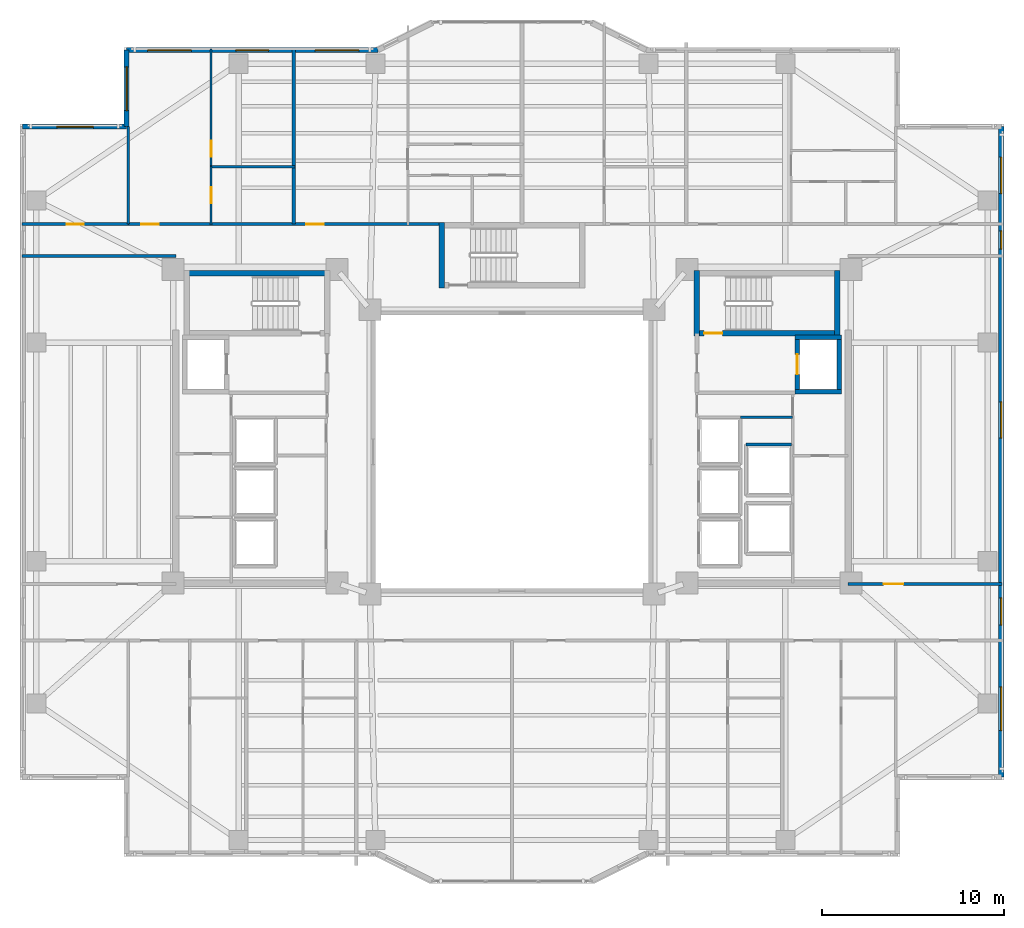
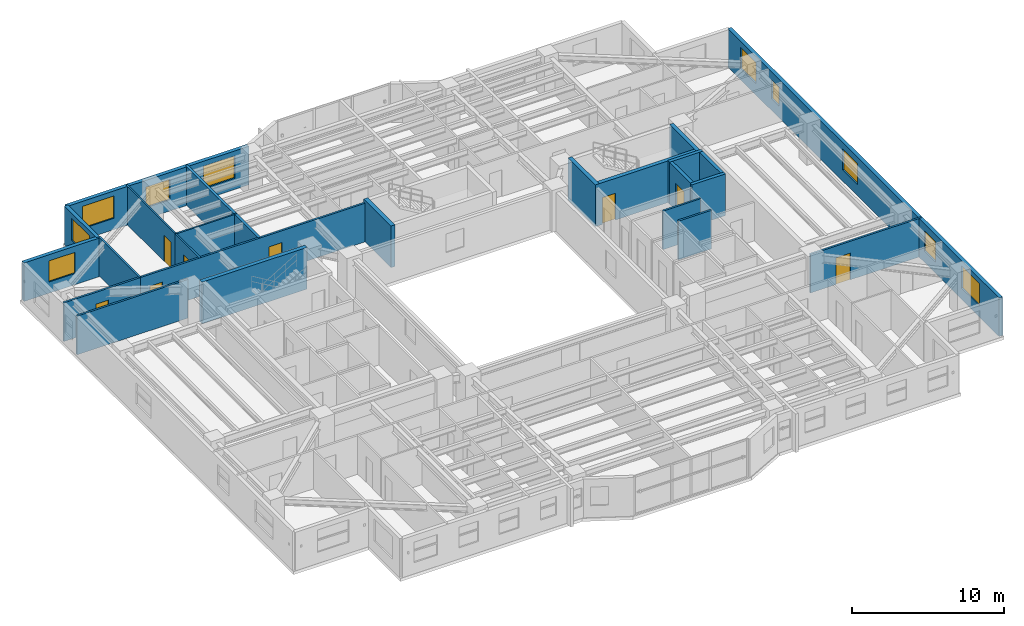
# One storey, part 9 of 18: 24 walls, 10 windows, 8 doors, 18 openings.
"""IFC4 building model written with IfcOpenShell, lengths in metres."""

from ifc_helpers import new_model, si_unit, direction, frame, frame_2d, origin, place, context, subcontext, project, spatial, rectangle, extrude, material, layer, layer_set, type_object, element, fill, save


model = new_model("IFC4")

# Units and contexts
model_context = context("Model", 3, precision=1e-05, world=origin(), true_north=direction((0.0, 1.0)))
body_context = subcontext(model_context, "Body", "Model", "MODEL_VIEW")
ifc_project = project(units=[si_unit("LENGTHUNIT", "METRE"), si_unit("AREAUNIT", "SQUARE_METRE"), si_unit("VOLUMEUNIT", "CUBIC_METRE"), si_unit("PLANEANGLEUNIT", "RADIAN"), si_unit("MASSUNIT", "GRAM", prefix="KILO")], contexts=[model_context])

# Site, building, storey
site_placement = place(None, origin())
site = spatial("IfcSite", under=ifc_project, at=site_placement, CompositionType="ELEMENT")
building_placement = place(site_placement, origin())
building = spatial("IfcBuilding", under=site, at=building_placement, Name="Tarnavaz Court Tower", CompositionType="ELEMENT")
storey_placement = place(building_placement, frame((0.0, 0.0, 101.75)))
storey = spatial("IfcBuildingStorey", under=building, at=storey_placement, Name="L27", CompositionType="ELEMENT", Elevation=101.75)

# Wall, opening, door
ifc_material_1 = material(Name="Concrete C60/75", Category="concrete")
ifc_layer_1 = layer(ifc_material_1, 0.25)
ifc_layer_set_1 = layer_set([ifc_layer_1], Name="Concrete C60/75")
wall_type_1 = type_object("IfcWallType", Name="WL-CORE-250-C60", PredefinedType="SHEAR", material=ifc_layer_set_1)
wall_1_placement = place(storey_placement, frame((15.64990234375, 3.175048828125, 0.0), z_axis=(0.0, 0.0, 1.0), x_axis=(0.0, 1.0, 0.0)))
wall_1 = element("IfcWall", 1, at=wall_1_placement, inside=storey, type_object=wall_type_1, Name="L27 Lift FL-E1 Shaft Wall 033", PredefinedType="SHEAR", context=body_context, shape_type="SweptSolid", body=[
    extrude(rectangle(XDim=3.25, YDim=0.25, at=frame_2d((1.625, 0.0))), origin(), (0.0, 0.0, 1.0), 3.35009765625),
])
opening_1_placement = place(wall_1_placement, frame((1.074951171875, 0.0, 0.0)))
opening_1 = element("IfcOpeningElement", 2, at=opening_1_placement, cuts=wall_1, Name="Opening LD1", PredefinedType="OPENING", context=body_context, shape_type="SweptSolid", body=[
    extrude(rectangle(XDim=1.10009765625, YDim=2.14990234375, at=frame_2d((0.550048828125, 1.074951171875))), frame((0.0, 0.135009765625, 0.0), z_axis=(0.0, -1.0, 0.0), x_axis=(1.0, 0.0, 0.0)), (0.0, 0.0, 1.0), 0.27001953125),
])
ifc_material_2 = material(Name="Stainless Steel", Category="steel")
door_type_1 = type_object("IfcDoorType", Name="DR-LD-1100", OperationType="NOTDEFINED", PredefinedType="DOOR", material=ifc_material_2)
door_1_placement = place(opening_1_placement, origin())
door_1 = element("IfcDoor", 3, at=door_1_placement, inside=storey, type_object=door_type_1, Name="L27 Lift Landing Door LD-FL-E1", OperationType="SLIDING_TO_LEFT", OverallHeight=2.14990234375, OverallWidth=1.10009765625, PredefinedType="DOOR", context=body_context, shape_type="SweptSolid", body=[
    extrude(rectangle(XDim=1.10009765625, YDim=2.14990234375, at=frame_2d((0.550048828125, 1.074951171875))), frame((0.0, 0.02490234375, 0.0), z_axis=(0.0, -1.0, 0.0), x_axis=(1.0, 0.0, 0.0)), (0.0, 0.0, 1.0), 0.050048828125),
])
fill(opening_1, door_1)

# Walls
wall_2_placement = place(storey_placement, frame((17.949951171875, 3.175048828125, 0.0), z_axis=(0.0, 0.0, 1.0), x_axis=(0.0, 1.0, 0.0)))
element("IfcWall", 4, at=wall_2_placement, inside=storey, type_object=wall_type_1, Name="L27 Lift FL-E1 Shaft Wall 034", PredefinedType="SHEAR", context=body_context, shape_type="SweptSolid", body=[
    extrude(rectangle(XDim=3.25, YDim=0.25, at=frame_2d((1.625, 0.0))), origin(), (0.0, 0.0, 1.0), 3.35009765625),
])
for number, where, z_axis, x_axis, name in (
    (5, (15.52490234375, 3.300048828125, 0.0), (0.0, 0.0, 1.0), (1.0, 0.0, 0.0), "L27 Lift FL-E1 Shaft Wall 035"),
    (6, (15.52490234375, 6.300048828125, 0.0), (0.0, 0.0, 1.0), (1.0, 0.0, 0.0), "L27 Lift FL-E1 Shaft Wall 036"),
):
    element("IfcWall", number, at=place(storey_placement, frame(where, z_axis=z_axis, x_axis=x_axis)), inside=storey, type_object=wall_type_1, Name=name, PredefinedType="SHEAR", context=body_context, shape_type="SweptSolid", body=[
        extrude(rectangle(XDim=2.550048828125, YDim=0.25, at=frame_2d((1.27490234375, 0.0))), origin(), (0.0, 0.0, 1.0), 3.35009765625),
    ])
ifc_layer_2 = layer(ifc_material_1, 0.300048828125)
ifc_layer_set_2 = layer_set([ifc_layer_2], Name="Concrete C60/75")
wall_type_2 = type_object("IfcWallType", Name="WL-CORE-300-C60", PredefinedType="SHEAR", material=ifc_layer_set_2)
wall_3_placement = place(storey_placement, frame((-18.0, 9.7900390625, 0.0), z_axis=(0.0, 0.0, 1.0), x_axis=(1.0, 0.0, 0.0)))
element("IfcWall", 7, at=wall_3_placement, inside=storey, type_object=wall_type_2, Name="L27 West Stair Core Wall 001", PredefinedType="SHEAR", context=body_context, shape_type="SweptSolid", body=[
    extrude(rectangle(XDim=8.0, YDim=0.300048828125, at=frame_2d((4.0, 0.0))), origin(), (0.0, 0.0, 1.0), 3.35009765625),
])

# Wall, opening, door
wall_4_placement = place(storey_placement, frame((10.0, 6.5, 0.0), z_axis=(0.0, 0.0, 1.0), x_axis=(1.0, 0.0, 0.0)))
wall_4 = element("IfcWall", 8, at=wall_4_placement, inside=storey, type_object=wall_type_2, Name="L27 East Stair Core Wall 006", PredefinedType="SHEAR", context=body_context, shape_type="SweptSolid", body=[
    extrude(rectangle(XDim=8.0, YDim=0.300048828125, at=frame_2d((4.0, 0.0))), origin(), (0.0, 0.0, 1.0), 3.35009765625),
])
opening_2_placement = place(wall_4_placement, frame((0.550048828125, 0.0, 0.0)))
opening_2 = element("IfcOpeningElement", 9, at=opening_2_placement, cuts=wall_4, Name="Opening D01", PredefinedType="OPENING", context=body_context, shape_type="SweptSolid", body=[
    extrude(rectangle(XDim=1.0, YDim=2.14990234375, at=frame_2d((0.5, 1.074951171875))), frame((0.0, 0.159912109375, 0.0), z_axis=(0.0, -1.0, 0.0), x_axis=(1.0, 0.0, 0.0)), (0.0, 0.0, 1.0), 0.320068359375),
])
ifc_material_3 = material(Name="Fire-Rated Hardwood Timber Core", Category="wood")
door_type_2 = type_object("IfcDoorType", Name="DR-FD90-1000", OperationType="NOTDEFINED", PredefinedType="DOOR", material=ifc_material_3)
door_2_placement = place(opening_2_placement, origin())
door_2 = element("IfcDoor", 10, at=door_2_placement, inside=storey, type_object=door_type_2, Name="L27 Stair ST-E1 Exit Door", OperationType="SINGLE_SWING_RIGHT", OverallHeight=2.14990234375, OverallWidth=1.0, PredefinedType="DOOR", context=body_context, shape_type="SweptSolid", body=[
    extrude(rectangle(XDim=1.0, YDim=2.14990234375, at=frame_2d((0.5, 1.074951171875))), frame((0.0, 0.02490234375, 0.0), z_axis=(0.0, -1.0, 0.0), x_axis=(1.0, 0.0, 0.0)), (0.0, 0.0, 1.0), 0.050048828125),
])
fill(opening_2, door_2)

# Walls
for number, where, z_axis, x_axis, name in (
    (11, (10.14990234375, 6.35009765625, 0.0), (0.0, 0.0, 1.0), (0.0, 1.0, 0.0), "L27 East Stair Core Wall 007"),
    (12, (17.85009765625, 6.35009765625, 0.0), (0.0, 0.0, 1.0), (0.0, 1.0, 0.0), "L27 East Stair Core Wall 008"),
):
    element("IfcWall", number, at=place(storey_placement, frame(where, z_axis=z_axis, x_axis=x_axis)), inside=storey, type_object=wall_type_2, Name=name, PredefinedType="SHEAR", context=body_context, shape_type="SweptSolid", body=[
        extrude(rectangle(XDim=3.58984375, YDim=0.300048828125, at=frame_2d((1.794921875, 0.0))), origin(), (0.0, 0.0, 1.0), 3.35009765625),
    ])
wall_5_placement = place(storey_placement, frame((-3.85009765625, 9.0, 0.0), z_axis=(0.0, 0.0, 1.0), x_axis=(0.0, 1.0, 0.0)))
element("IfcWall", 13, at=wall_5_placement, inside=storey, type_object=wall_type_2, Name="L27 North Stair Core Wall 011", PredefinedType="SHEAR", context=body_context, shape_type="SweptSolid", body=[
    extrude(rectangle(XDim=3.590087890625, YDim=0.300048828125, at=frame_2d((1.794921875, 0.0))), origin(), (0.0, 0.0, 1.0), 3.35009765625),
])

# Wall, opening, window
ifc_material_4 = material(Name="Precast Concrete C40/50", Category="concrete")
ifc_layer_3 = layer(ifc_material_4, 0.280029296875)
ifc_layer_set_3 = layer_set([ifc_layer_3], Name="Precast Concrete C40/50")
wall_type_3 = type_object("IfcWallType", Name="WL-EXT-280", PredefinedType="SOLIDWALL", material=ifc_layer_set_3)
wall_6_placement = place(storey_placement, frame((-26.85009765625, 17.85009765625, 0.0), z_axis=(0.0, 0.0, 1.0), x_axis=(1.0, 0.0, 0.0)))
wall_6 = element("IfcWall", 14, at=wall_6_placement, inside=storey, type_object=wall_type_3, Name="L27 Exterior Terracotta Facade Wall 03", PredefinedType="SOLIDWALL", context=body_context, shape_type="SweptSolid", body=[
    extrude(rectangle(XDim=5.7001953125, YDim=0.280029296875, at=frame_2d((2.85009765625, 0.0))), origin(), (0.0, 0.0, 1.0), 3.10009765625),
])
opening_3_placement = place(wall_6_placement, frame((1.875, 0.0, 0.89990234375)))
opening_3 = element("IfcOpeningElement", 15, at=opening_3_placement, cuts=wall_6, Name="Opening W08", PredefinedType="OPENING", context=body_context, shape_type="SweptSolid", body=[
    extrude(rectangle(XDim=2.0, YDim=1.699951171875, at=frame_2d((1.0, 0.85009765625))), frame((0.0, 0.14990234375, 0.0), z_axis=(0.0, -1.0, 0.0), x_axis=(1.0, 0.0, 0.0)), (0.0, 0.0, 1.0), 0.300048828125),
])
ifc_material_5 = material(Name="Double-Glazed Solar Low-E Glass", Category="glass")
window_type_1 = type_object("IfcWindowType", Name="WN-APT-2000", PartitioningType="DOUBLE_PANEL_VERTICAL", PredefinedType="WINDOW", material=ifc_material_5)
window_1_placement = place(opening_3_placement, origin())
window_1 = element("IfcWindow", 16, at=window_1_placement, inside=storey, type_object=window_type_1, Name="L27 North-West Corner Sunroom Study Window", OverallHeight=1.699951171875, OverallWidth=2.0, PartitioningType="SINGLE_PANEL", PredefinedType="WINDOW", context=body_context, shape_type="SweptSolid", body=[
    extrude(rectangle(XDim=2.0, YDim=1.699951171875, at=frame_2d((1.0, 0.85009765625))), frame((0.0, 0.030029296875, 0.0), z_axis=(0.0, -1.0, 0.0), x_axis=(1.0, 0.0, 0.0)), (0.0, 0.0, 1.0), 0.06005859375),
])
fill(opening_3, window_1)

wall_7_placement = place(storey_placement, frame((-21.14990234375, 17.85009765625, 0.0), z_axis=(0.0, 0.0, 1.0), x_axis=(0.0, 1.0, 0.0)))
wall_7 = element("IfcWall", 17, at=wall_7_placement, inside=storey, type_object=wall_type_3, Name="L27 Exterior Terracotta Facade Wall 04", PredefinedType="SOLIDWALL", context=body_context, shape_type="SweptSolid", body=[
    extrude(rectangle(XDim=4.199951171875, YDim=0.280029296875, at=frame_2d((2.10009765625, 0.0))), origin(), (0.0, 0.0, 1.0), 3.10009765625),
])
opening_4_placement = place(wall_7_placement, frame((0.882080078125, 0.0, 0.89990234375)))
opening_4 = element("IfcOpeningElement", 18, at=opening_4_placement, cuts=wall_7, Name="Opening W06", PredefinedType="OPENING", context=body_context, shape_type="SweptSolid", body=[
    extrude(rectangle(XDim=2.39990234375, YDim=1.800048828125, at=frame_2d((1.199951171875, 0.89990234375))), frame((0.0, 0.14990234375, 0.0), z_axis=(0.0, -1.0, 0.0), x_axis=(1.0, 0.0, 0.0)), (0.0, 0.0, 1.0), 0.300048828125),
])
window_type_2 = type_object("IfcWindowType", Name="WN-APT-2400", PartitioningType="TRIPLE_PANEL_VERTICAL", PredefinedType="WINDOW", material=ifc_material_5)
window_2_placement = place(opening_4_placement, origin())
window_2 = element("IfcWindow", 19, at=window_2_placement, inside=storey, type_object=window_type_2, Name="L27 Flat 01 Studio Living and Sleeping Room Window", OverallHeight=1.800048828125, OverallWidth=2.39990234375, PartitioningType="SINGLE_PANEL", PredefinedType="WINDOW", context=body_context, shape_type="SweptSolid", body=[
    extrude(rectangle(XDim=2.39990234375, YDim=1.800048828125, at=frame_2d((1.199951171875, 0.89990234375))), frame((0.0, 0.030029296875, 0.0), z_axis=(0.0, -1.0, 0.0), x_axis=(1.0, 0.0, 0.0)), (0.0, 0.0, 1.0), 0.06005859375),
])
fill(opening_4, window_2)

# Wall, openings, windows
wall_8_placement = place(storey_placement, frame((-21.14990234375, 22.050048828125, 0.0), z_axis=(0.0, 0.0, 1.0), x_axis=(1.0, 0.0, 0.0)))
wall_8 = element("IfcWall", 20, at=wall_8_placement, inside=storey, type_object=wall_type_3, Name="L27 Exterior Terracotta Facade Wall 05", PredefinedType="SOLIDWALL", context=body_context, shape_type="SweptSolid", body=[
    extrude(rectangle(XDim=13.7998046875, YDim=0.280029296875, at=frame_2d((6.89990234375, 0.0))), origin(), (0.0, 0.0, 1.0), 3.10009765625),
])
opening_5_placement = place(wall_8_placement, frame((1.158447265625, 0.0, 0.89990234375)))
opening_5 = element("IfcOpeningElement", 21, at=opening_5_placement, cuts=wall_8, Name="Opening W06", PredefinedType="OPENING", context=body_context, shape_type="SweptSolid", body=[
    extrude(rectangle(XDim=2.39990234375, YDim=1.800048828125, at=frame_2d((1.199951171875, 0.89990234375))), frame((0.0, 0.14990234375, 0.0), z_axis=(0.0, -1.0, 0.0), x_axis=(1.0, 0.0, 0.0)), (0.0, 0.0, 1.0), 0.300048828125),
])
opening_6_placement = place(wall_8_placement, frame((6.0, 0.0, 0.89990234375)))
opening_6 = element("IfcOpeningElement", 22, at=opening_6_placement, cuts=wall_8, Name="Opening W01", PredefinedType="OPENING", context=body_context, shape_type="SweptSolid", body=[
    extrude(rectangle(XDim=1.800048828125, YDim=1.64990234375, at=frame_2d((0.89990234375, 0.824951171875))), frame((0.0, 0.14990234375, 0.0), z_axis=(0.0, -1.0, 0.0), x_axis=(1.0, 0.0, 0.0)), (0.0, 0.0, 1.0), 0.300048828125),
])
opening_7_placement = place(wall_8_placement, frame((10.341796875, 0.0, 0.89990234375)))
opening_7 = element("IfcOpeningElement", 23, at=opening_7_placement, cuts=wall_8, Name="Opening W06", PredefinedType="OPENING", context=body_context, shape_type="SweptSolid", body=[
    extrude(rectangle(XDim=2.39990234375, YDim=1.800048828125, at=frame_2d((1.199951171875, 0.89990234375))), frame((0.0, 0.14990234375, 0.0), z_axis=(0.0, -1.0, 0.0), x_axis=(1.0, 0.0, 0.0)), (0.0, 0.0, 1.0), 0.300048828125),
])
window_type_3 = type_object("IfcWindowType", Name="WN-APT-1800", PartitioningType="DOUBLE_PANEL_VERTICAL", PredefinedType="WINDOW", material=ifc_material_5)
window_3_placement = place(opening_6_placement, origin())
window_3 = element("IfcWindow", 24, at=window_3_placement, inside=storey, type_object=window_type_3, Name="L27 Flat 01 Kitchen Window", OverallHeight=1.64990234375, OverallWidth=1.800048828125, PartitioningType="SINGLE_PANEL", PredefinedType="WINDOW", context=body_context, shape_type="SweptSolid", body=[
    extrude(rectangle(XDim=1.800048828125, YDim=1.64990234375, at=frame_2d((0.89990234375, 0.824951171875))), frame((0.0, 0.030029296875, 0.0), z_axis=(0.0, -1.0, 0.0), x_axis=(1.0, 0.0, 0.0)), (0.0, 0.0, 1.0), 0.06005859375),
])
fill(opening_6, window_3)
window_4_placement = place(opening_5_placement, origin())
window_4 = element("IfcWindow", 25, at=window_4_placement, inside=storey, type_object=window_type_2, Name="L27 Flat 01 Studio Living and Sleeping Room Window", OverallHeight=1.800048828125, OverallWidth=2.39990234375, PartitioningType="SINGLE_PANEL", PredefinedType="WINDOW", context=body_context, shape_type="SweptSolid", body=[
    extrude(rectangle(XDim=2.39990234375, YDim=1.800048828125, at=frame_2d((1.199951171875, 0.89990234375))), frame((0.0, 0.030029296875, 0.0), z_axis=(0.0, -1.0, 0.0), x_axis=(1.0, 0.0, 0.0)), (0.0, 0.0, 1.0), 0.06005859375),
])
fill(opening_5, window_4)
window_5_placement = place(opening_7_placement, origin())
window_5 = element("IfcWindow", 26, at=window_5_placement, inside=storey, type_object=window_type_2, Name="L27 Flat 02 Living and Dining Room Window", OverallHeight=1.800048828125, OverallWidth=2.39990234375, PartitioningType="SINGLE_PANEL", PredefinedType="WINDOW", context=body_context, shape_type="SweptSolid", body=[
    extrude(rectangle(XDim=2.39990234375, YDim=1.800048828125, at=frame_2d((1.199951171875, 0.89990234375))), frame((0.0, 0.030029296875, 0.0), z_axis=(0.0, -1.0, 0.0), x_axis=(1.0, 0.0, 0.0)), (0.0, 0.0, 1.0), 0.06005859375),
])
fill(opening_7, window_5)

wall_9_placement = place(storey_placement, frame((26.85009765625, 17.85009765625, 0.0), z_axis=(0.0, 0.0, 1.0), x_axis=(0.0, -1.0, 0.0)))
wall_9 = element("IfcWall", 27, at=wall_9_placement, inside=storey, type_object=wall_type_3, Name="L27 Exterior Terracotta Facade Wall 12", PredefinedType="SOLIDWALL", context=body_context, shape_type="SweptSolid", body=[
    extrude(rectangle(XDim=35.7001953125, YDim=0.280029296875, at=frame_2d((17.85009765625, 0.0))), origin(), (0.0, 0.0, 1.0), 3.10009765625),
])
opening_8_placement = place(wall_9_placement, frame((1.675048828125, 0.0, 0.89990234375)))
opening_8 = element("IfcOpeningElement", 28, at=opening_8_placement, cuts=wall_9, Name="Opening W08", PredefinedType="OPENING", context=body_context, shape_type="SweptSolid", body=[
    extrude(rectangle(XDim=2.0, YDim=1.699951171875, at=frame_2d((1.0, 0.85009765625))), frame((0.0, 0.14990234375, 0.0), z_axis=(0.0, -1.0, 0.0), x_axis=(1.0, 0.0, 0.0)), (0.0, 0.0, 1.0), 0.300048828125),
])
opening_9_placement = place(wall_9_placement, frame((5.72509765625, 0.0, 0.949951171875)))
opening_9 = element("IfcOpeningElement", 29, at=opening_9_placement, cuts=wall_9, Name="Opening W14", PredefinedType="OPENING", context=body_context, shape_type="SweptSolid", body=[
    extrude(rectangle(XDim=1.0, YDim=1.5, at=frame_2d((0.5, 0.75))), frame((0.0, 0.14990234375, 0.0), z_axis=(0.0, -1.0, 0.0), x_axis=(1.0, 0.0, 0.0)), (0.0, 0.0, 1.0), 0.300048828125),
])
opening_10_placement = place(wall_9_placement, frame((15.10009765625, 0.0, 0.89990234375)))
opening_10 = element("IfcOpeningElement", 30, at=opening_10_placement, cuts=wall_9, Name="Opening W08", PredefinedType="OPENING", context=body_context, shape_type="SweptSolid", body=[
    extrude(rectangle(XDim=2.0, YDim=1.699951171875, at=frame_2d((1.0, 0.85009765625))), frame((0.0, 0.14990234375, 0.0), z_axis=(0.0, -1.0, 0.0), x_axis=(1.0, 0.0, 0.0)), (0.0, 0.0, 1.0), 0.300048828125),
])
opening_11_placement = place(wall_9_placement, frame((25.857421875, 0.0, 0.89990234375)))
opening_11 = element("IfcOpeningElement", 31, at=opening_11_placement, cuts=wall_9, Name="Opening W03", PredefinedType="OPENING", context=body_context, shape_type="SweptSolid", body=[
    extrude(rectangle(XDim=1.5, YDim=1.64990234375, at=frame_2d((0.75, 0.824951171875))), frame((0.0, 0.14990234375, 0.0), z_axis=(0.0, -1.0, 0.0), x_axis=(1.0, 0.0, 0.0)), (0.0, 0.0, 1.0), 0.300048828125),
])
opening_12_placement = place(wall_9_placement, frame((30.75, 0.0, 0.89990234375)))
opening_12 = element("IfcOpeningElement", 32, at=opening_12_placement, cuts=wall_9, Name="Opening W06", PredefinedType="OPENING", context=body_context, shape_type="SweptSolid", body=[
    extrude(rectangle(XDim=2.39990234375, YDim=1.800048828125, at=frame_2d((1.199951171875, 0.89990234375))), frame((0.0, 0.14990234375, 0.0), z_axis=(0.0, -1.0, 0.0), x_axis=(1.0, 0.0, 0.0)), (0.0, 0.0, 1.0), 0.300048828125),
])
window_type_4 = type_object("IfcWindowType", Name="WN-APT-1000", PartitioningType="SINGLE_PANEL", PredefinedType="WINDOW", material=ifc_material_5)
window_6_placement = place(opening_9_placement, origin())
window_6 = element("IfcWindow", 33, at=window_6_placement, inside=storey, type_object=window_type_4, Name="L27 North-East Corner Corridor Window", OverallHeight=1.5, OverallWidth=1.0, PartitioningType="SINGLE_PANEL", PredefinedType="WINDOW", context=body_context, shape_type="SweptSolid", body=[
    extrude(rectangle(XDim=1.0, YDim=1.5, at=frame_2d((0.5, 0.75))), frame((0.0, 0.030029296875, 0.0), z_axis=(0.0, -1.0, 0.0), x_axis=(1.0, 0.0, 0.0)), (0.0, 0.0, 1.0), 0.06005859375),
])
fill(opening_9, window_6)
window_type_5 = type_object("IfcWindowType", Name="WN-APT-1500", PartitioningType="DOUBLE_PANEL_VERTICAL", PredefinedType="WINDOW", material=ifc_material_5)
window_7_placement = place(opening_11_placement, origin())
window_7 = element("IfcWindow", 34, at=window_7_placement, inside=storey, type_object=window_type_5, Name="L27 South-East Corner Corridor Window", OverallHeight=1.64990234375, OverallWidth=1.5, PartitioningType="SINGLE_PANEL", PredefinedType="WINDOW", context=body_context, shape_type="SweptSolid", body=[
    extrude(rectangle(XDim=1.5, YDim=1.64990234375, at=frame_2d((0.75, 0.824951171875))), frame((0.0, 0.030029296875, 0.0), z_axis=(0.0, -1.0, 0.0), x_axis=(1.0, 0.0, 0.0)), (0.0, 0.0, 1.0), 0.06005859375),
])
fill(opening_11, window_7)
window_8_placement = place(opening_8_placement, origin())
window_8 = element("IfcWindow", 35, at=window_8_placement, inside=storey, type_object=window_type_1, Name="L27 North-East Corner Sunroom Study Window", OverallHeight=1.699951171875, OverallWidth=2.0, PartitioningType="SINGLE_PANEL", PredefinedType="WINDOW", context=body_context, shape_type="SweptSolid", body=[
    extrude(rectangle(XDim=2.0, YDim=1.699951171875, at=frame_2d((1.0, 0.85009765625))), frame((0.0, 0.030029296875, 0.0), z_axis=(0.0, -1.0, 0.0), x_axis=(1.0, 0.0, 0.0)), (0.0, 0.0, 1.0), 0.06005859375),
])
fill(opening_8, window_8)
window_9_placement = place(opening_10_placement, origin())
window_9 = element("IfcWindow", 36, at=window_9_placement, inside=storey, type_object=window_type_1, Name="L27 East Wing Daycare Playroom Window", OverallHeight=1.699951171875, OverallWidth=2.0, PartitioningType="SINGLE_PANEL", PredefinedType="WINDOW", context=body_context, shape_type="SweptSolid", body=[
    extrude(rectangle(XDim=2.0, YDim=1.699951171875, at=frame_2d((1.0, 0.85009765625))), frame((0.0, 0.030029296875, 0.0), z_axis=(0.0, -1.0, 0.0), x_axis=(1.0, 0.0, 0.0)), (0.0, 0.0, 1.0), 0.06005859375),
])
fill(opening_10, window_9)
window_10_placement = place(opening_12_placement, origin())
window_10 = element("IfcWindow", 37, at=window_10_placement, inside=storey, type_object=window_type_2, Name="L27 South-East Corner Reading Room Window", OverallHeight=1.800048828125, OverallWidth=2.39990234375, PartitioningType="SINGLE_PANEL", PredefinedType="WINDOW", context=body_context, shape_type="SweptSolid", body=[
    extrude(rectangle(XDim=2.39990234375, YDim=1.800048828125, at=frame_2d((1.199951171875, 0.89990234375))), frame((0.0, 0.030029296875, 0.0), z_axis=(0.0, -1.0, 0.0), x_axis=(1.0, 0.0, 0.0)), (0.0, 0.0, 1.0), 0.06005859375),
])
fill(opening_12, window_10)

# Wall, openings, doors
ifc_material_6 = material(Name="Gypsum Fire-Board on Acoustic Metal Stud", Category="masonry")
ifc_layer_4 = layer(ifc_material_6, 0.14990234375)
ifc_layer_set_4 = layer_set([ifc_layer_4], Name="Gypsum Fire-Board on Acoustic Metal Stud")
wall_type_4 = type_object("IfcWallType", Name="WL-FIRE-150", PredefinedType="PARTITIONING", material=ifc_layer_set_4)
wall_10_placement = place(storey_placement, frame((-21.050048828125, 12.5, 0.0), z_axis=(0.0, 0.0, 1.0), x_axis=(1.0, 0.0, 0.0)))
wall_10 = element("IfcWall", 38, at=wall_10_placement, inside=storey, type_object=wall_type_4, Name="L27 NW Wing Corridor Wall 072", PredefinedType="PARTITIONING", context=body_context, shape_type="SweptSolid", body=[
    extrude(rectangle(XDim=17.199951171875, YDim=0.14990234375, at=frame_2d((8.60009765625, 0.0))), origin(), (0.0, 0.0, 1.0), 3.10009765625),
])
opening_13_placement = place(wall_10_placement, frame((0.699951171875, 0.0, 0.0)))
opening_13 = element("IfcOpeningElement", 39, at=opening_13_placement, cuts=wall_10, Name="Opening D06", PredefinedType="OPENING", context=body_context, shape_type="SweptSolid", body=[
    extrude(rectangle(XDim=0.9599609375, YDim=2.14990234375, at=frame_2d((0.47998046875, 1.074951171875))), frame((0.0, 0.0849609375, 0.0), z_axis=(0.0, -1.0, 0.0), x_axis=(1.0, 0.0, 0.0)), (0.0, 0.0, 1.0), 0.169921875),
])
opening_14_placement = place(wall_10_placement, frame((9.77197265625, 0.0, 0.0)))
opening_14 = element("IfcOpeningElement", 40, at=opening_14_placement, cuts=wall_10, Name="Opening D06", PredefinedType="OPENING", context=body_context, shape_type="SweptSolid", body=[
    extrude(rectangle(XDim=0.9599609375, YDim=2.14990234375, at=frame_2d((0.47998046875, 1.074951171875))), frame((0.0, 0.0849609375, 0.0), z_axis=(0.0, -1.0, 0.0), x_axis=(1.0, 0.0, 0.0)), (0.0, 0.0, 1.0), 0.169921875),
])
door_type_3 = type_object("IfcDoorType", Name="DR-FD60-950", OperationType="NOTDEFINED", PredefinedType="DOOR", material=ifc_material_3)
door_3_placement = place(opening_13_placement, origin())
door_3 = element("IfcDoor", 41, at=door_3_placement, inside=storey, type_object=door_type_3, Name="L27 Flat 01 Entrance Door", OperationType="SINGLE_SWING_RIGHT", OverallHeight=2.14990234375, OverallWidth=0.9599609375, PredefinedType="DOOR", context=body_context, shape_type="SweptSolid", body=[
    extrude(rectangle(XDim=0.9599609375, YDim=2.14990234375, at=frame_2d((0.47998046875, 1.074951171875))), frame((0.0, 0.02490234375, 0.0), z_axis=(0.0, -1.0, 0.0), x_axis=(1.0, 0.0, 0.0)), (0.0, 0.0, 1.0), 0.050048828125),
])
fill(opening_13, door_3)
door_4_placement = place(opening_14_placement, origin())
door_4 = element("IfcDoor", 42, at=door_4_placement, inside=storey, type_object=door_type_3, Name="L27 Flat 02 Entrance Door", OperationType="SINGLE_SWING_LEFT", OverallHeight=2.14990234375, OverallWidth=0.9599609375, PredefinedType="DOOR", context=body_context, shape_type="SweptSolid", body=[
    extrude(rectangle(XDim=0.9599609375, YDim=2.14990234375, at=frame_2d((0.47998046875, 1.074951171875))), frame((0.0, 0.02490234375, 0.0), z_axis=(0.0, -1.0, 0.0), x_axis=(1.0, 0.0, 0.0)), (0.0, 0.0, 1.0), 0.050048828125),
])
fill(opening_14, door_4)

# Wall
wall_11_placement = place(storey_placement, frame((-26.8798828125, 10.75, 0.0), z_axis=(0.0, 0.0, 1.0), x_axis=(1.0, 0.0, 0.0)))
element("IfcWall", 43, at=wall_11_placement, inside=storey, type_object=wall_type_4, Name="L27 Interior Partition 114", PredefinedType="PARTITIONING", context=body_context, shape_type="SweptSolid", body=[
    extrude(rectangle(XDim=8.429931640625, YDim=0.14990234375, at=frame_2d((4.21484375, 0.0))), origin(), (0.0, 0.0, 1.0), 3.10009765625),
])

# Wall, opening, door
wall_12_placement = place(storey_placement, frame((18.449951171875, -7.25, 0.0), z_axis=(0.0, 0.0, 1.0), x_axis=(1.0, 0.0, 0.0)))
wall_12 = element("IfcWall", 44, at=wall_12_placement, inside=storey, type_object=wall_type_4, Name="L27 Interior Partition 115", PredefinedType="PARTITIONING", context=body_context, shape_type="SweptSolid", body=[
    extrude(rectangle(XDim=8.429931640625, YDim=0.14990234375, at=frame_2d((4.21484375, 0.0))), origin(), (0.0, 0.0, 1.0), 3.10009765625),
])
opening_15_placement = place(wall_12_placement, frame((1.949951171875, 0.0, 0.0)))
opening_15 = element("IfcOpeningElement", 45, at=opening_15_placement, cuts=wall_12, Name="Opening D12", PredefinedType="OPENING", context=body_context, shape_type="SweptSolid", body=[
    extrude(rectangle(XDim=1.080078125, YDim=2.14990234375, at=frame_2d((0.5400390625, 1.074951171875))), frame((0.0, 0.0849609375, 0.0), z_axis=(0.0, -1.0, 0.0), x_axis=(1.0, 0.0, 0.0)), (0.0, 0.0, 1.0), 0.169921875),
])
ifc_material_7 = material(Name="Engineered Oak Timber", Category="wood")
door_type_4 = type_object("IfcDoorType", Name="DR-INT-1100", OperationType="NOTDEFINED", PredefinedType="DOOR", material=ifc_material_7)
door_5_placement = place(opening_15_placement, origin())
door_5 = element("IfcDoor", 46, at=door_5_placement, inside=storey, type_object=door_type_4, Name="L27 East Daycare Playroom Door", OperationType="SINGLE_SWING_LEFT", OverallHeight=2.14990234375, OverallWidth=1.080078125, PredefinedType="DOOR", context=body_context, shape_type="SweptSolid", body=[
    extrude(rectangle(XDim=1.080078125, YDim=2.14990234375, at=frame_2d((0.5400390625, 1.074951171875))), frame((0.0, 0.02490234375, 0.0), z_axis=(0.0, -1.0, 0.0), x_axis=(1.0, 0.0, 0.0)), (0.0, 0.0, 1.0), 0.050048828125),
])
fill(opening_15, door_5)

wall_13_placement = place(storey_placement, frame((-26.8798828125, 12.5, 0.0), z_axis=(0.0, 0.0, 1.0), x_axis=(1.0, 0.0, 0.0)))
wall_13 = element("IfcWall", 47, at=wall_13_placement, inside=storey, type_object=wall_type_4, Name="L27 Interior Partition 121", PredefinedType="PARTITIONING", context=body_context, shape_type="SweptSolid", body=[
    extrude(rectangle(XDim=5.829833984375, YDim=0.14990234375, at=frame_2d((2.9150390625, 0.0))), origin(), (0.0, 0.0, 1.0), 3.10009765625),
])
opening_16_placement = place(wall_13_placement, frame((2.43994140625, 0.0, 0.0)))
opening_16 = element("IfcOpeningElement", 48, at=opening_16_placement, cuts=wall_13, Name="Opening D13", PredefinedType="OPENING", context=body_context, shape_type="SweptSolid", body=[
    extrude(rectangle(XDim=0.949951171875, YDim=2.14990234375, at=frame_2d((0.47509765625, 1.074951171875))), frame((0.0, 0.0849609375, 0.0), z_axis=(0.0, -1.0, 0.0), x_axis=(1.0, 0.0, 0.0)), (0.0, 0.0, 1.0), 0.169921875),
])
door_type_5 = type_object("IfcDoorType", Name="DR-INT-950", OperationType="NOTDEFINED", PredefinedType="DOOR", material=ifc_material_7)
door_6_placement = place(opening_16_placement, origin())
door_6 = element("IfcDoor", 49, at=door_6_placement, inside=storey, type_object=door_type_5, Name="L27 NW Sunroom Door", OperationType="SINGLE_SWING_RIGHT", OverallHeight=2.14990234375, OverallWidth=0.949951171875, PredefinedType="DOOR", context=body_context, shape_type="SweptSolid", body=[
    extrude(rectangle(XDim=0.949951171875, YDim=2.14990234375, at=frame_2d((0.47509765625, 1.074951171875))), frame((0.0, 0.02490234375, 0.0), z_axis=(0.0, -1.0, 0.0), x_axis=(1.0, 0.0, 0.0)), (0.0, 0.0, 1.0), 0.050048828125),
])
fill(opening_16, door_6)

# Wall
ifc_material_8 = material(Name="Autoclaved Aerated Concrete Blockwork", Category="masonry")
ifc_layer_5 = layer(ifc_material_8, 0.199951171875)
ifc_layer_set_5 = layer_set([ifc_layer_5], Name="Autoclaved Aerated Concrete Blockwork")
wall_type_5 = type_object("IfcWallType", Name="WL-FIRE-200", PredefinedType="SOLIDWALL", material=ifc_layer_set_5)
wall_14_placement = place(storey_placement, frame((-11.97802734375, 12.5, 0.0), z_axis=(0.0, 0.0, 1.0), x_axis=(0.0, 1.0, 0.0)))
element("IfcWall", 50, at=wall_14_placement, inside=storey, type_object=wall_type_5, Name="L27 Party Wall 077", PredefinedType="SOLIDWALL", context=body_context, shape_type="SweptSolid", body=[
    extrude(rectangle(XDim=9.60009765625, YDim=0.199951171875, at=frame_2d((4.800048828125, 0.0))), origin(), (0.0, 0.0, 1.0), 3.10009765625),
])

# Wall, opening, door
ifc_material_9 = material(Name="Moisture-Resistant Gypsum Board Partition", Category="masonry")
ifc_layer_6 = layer(ifc_material_9, 0.1201171875)
ifc_layer_set_6 = layer_set([ifc_layer_6], Name="Moisture-Resistant Gypsum Board Partition")
wall_type_6 = type_object("IfcWallType", Name="WL-PART-120", PredefinedType="PARTITIONING", material=ifc_layer_set_6)
wall_15_placement = place(storey_placement, frame((-16.513916015625, 12.43994140625, 0.0), z_axis=(0.0, 0.0, 1.0), x_axis=(0.0, 1.0, 0.0)))
wall_15 = element("IfcWall", 51, at=wall_15_placement, inside=storey, type_object=wall_type_6, Name="L27 Interior Partition 078", PredefinedType="PARTITIONING", context=body_context, shape_type="SweptSolid", body=[
    extrude(rectangle(XDim=3.2099609375, YDim=0.1201171875, at=frame_2d((1.60498046875, 0.0))), origin(), (0.0, 0.0, 1.0), 3.10009765625),
])
opening_17_placement = place(wall_15_placement, frame((1.195068359375, 0.0, 0.0)))
opening_17 = element("IfcOpeningElement", 52, at=opening_17_placement, cuts=wall_15, Name="Opening D14", PredefinedType="OPENING", context=body_context, shape_type="SweptSolid", body=[
    extrude(rectangle(XDim=0.8798828125, YDim=2.10009765625, at=frame_2d((0.43994140625, 1.050048828125))), frame((0.0, 0.070068359375, 0.0), z_axis=(0.0, -1.0, 0.0), x_axis=(1.0, 0.0, 0.0)), (0.0, 0.0, 1.0), 0.14013671875),
])
door_type_6 = type_object("IfcDoorType", Name="DR-INT-900", OperationType="NOTDEFINED", PredefinedType="DOOR", material=ifc_material_7)
door_7_placement = place(opening_17_placement, origin())
door_7 = element("IfcDoor", 53, at=door_7_placement, inside=storey, type_object=door_type_6, Name="L27 Flat 01 Bathroom Door", OperationType="SINGLE_SWING_LEFT", OverallHeight=2.10009765625, OverallWidth=0.8798828125, PredefinedType="DOOR", context=body_context, shape_type="SweptSolid", body=[
    extrude(rectangle(XDim=0.8798828125, YDim=2.10009765625, at=frame_2d((0.43994140625, 1.050048828125))), frame((0.0, 0.02490234375, 0.0), z_axis=(0.0, -1.0, 0.0), x_axis=(1.0, 0.0, 0.0)), (0.0, 0.0, 1.0), 0.050048828125),
])
fill(opening_17, door_7)

wall_16_placement = place(storey_placement, frame((-16.513916015625, 15.64990234375, 0.0), z_axis=(0.0, 0.0, 1.0), x_axis=(0.0, 1.0, 0.0)))
wall_16 = element("IfcWall", 54, at=wall_16_placement, inside=storey, type_object=wall_type_6, Name="L27 Interior Partition 079", PredefinedType="PARTITIONING", context=body_context, shape_type="SweptSolid", body=[
    extrude(rectangle(XDim=6.4501953125, YDim=0.1201171875, at=frame_2d((3.22509765625, 0.0))), origin(), (0.0, 0.0, 1.0), 3.10009765625),
])
opening_18_placement = place(wall_16_placement, frame((0.550048828125, 0.0, 0.0)))
opening_18 = element("IfcOpeningElement", 55, at=opening_18_placement, cuts=wall_16, Name="Opening D14", PredefinedType="OPENING", context=body_context, shape_type="SweptSolid", body=[
    extrude(rectangle(XDim=0.8798828125, YDim=2.10009765625, at=frame_2d((0.43994140625, 1.050048828125))), frame((0.0, 0.070068359375, 0.0), z_axis=(0.0, -1.0, 0.0), x_axis=(1.0, 0.0, 0.0)), (0.0, 0.0, 1.0), 0.14013671875),
])
door_8_placement = place(opening_18_placement, origin())
door_8 = element("IfcDoor", 56, at=door_8_placement, inside=storey, type_object=door_type_6, Name="L27 Flat 01 Kitchen Door", OperationType="SINGLE_SWING_RIGHT", OverallHeight=2.10009765625, OverallWidth=0.8798828125, PredefinedType="DOOR", context=body_context, shape_type="SweptSolid", body=[
    extrude(rectangle(XDim=0.8798828125, YDim=2.10009765625, at=frame_2d((0.43994140625, 1.050048828125))), frame((0.0, 0.02490234375, 0.0), z_axis=(0.0, -1.0, 0.0), x_axis=(1.0, 0.0, 0.0)), (0.0, 0.0, 1.0), 0.050048828125),
])
fill(opening_18, door_8)

# Walls
wall_17_placement = place(storey_placement, frame((-16.573974609375, 15.64990234375, 0.0), z_axis=(0.0, 0.0, 1.0), x_axis=(1.0, 0.0, 0.0)))
element("IfcWall", 57, at=wall_17_placement, inside=storey, type_object=wall_type_6, Name="L27 Interior Partition 080", PredefinedType="PARTITIONING", context=body_context, shape_type="SweptSolid", body=[
    extrude(rectangle(XDim=4.656005859375, YDim=0.1201171875, at=frame_2d((2.328125, 0.0))), origin(), (0.0, 0.0, 1.0), 3.10009765625),
])
ifc_material_10 = material(Name="Gypsum Plasterboard Acoustic Partition", Category="masonry")
ifc_layer_7 = layer(ifc_material_10, 0.139892578125)
ifc_layer_set_7 = layer_set([ifc_layer_7], Name="Gypsum Plasterboard Acoustic Partition")
wall_type_7 = type_object("IfcWallType", Name="WL-PART-150", PredefinedType="PARTITIONING", material=ifc_layer_set_7)
wall_18_placement = place(storey_placement, frame((12.550048828125, 1.89990234375, 0.0), z_axis=(0.0, 0.0, 1.0), x_axis=(1.0, 0.0, 0.0)))
element("IfcWall", 58, at=wall_18_placement, inside=storey, type_object=wall_type_7, Name="L27 Interior Partition 068", PredefinedType="PARTITIONING", context=body_context, shape_type="SweptSolid", body=[
    extrude(rectangle(XDim=2.849853515625, YDim=0.139892578125, at=frame_2d((1.4248046875, 0.0))), origin(), (0.0, 0.0, 1.0), 3.10009765625),
])
wall_19_placement = place(storey_placement, frame((-21.050048828125, 12.5, 0.0), z_axis=(0.0, 0.0, 1.0), x_axis=(0.0, 1.0, 0.0)))
element("IfcWall", 59, at=wall_19_placement, inside=storey, type_object=wall_type_7, Name="L27 Interior Partition 119", PredefinedType="PARTITIONING", context=body_context, shape_type="SweptSolid", body=[
    extrude(rectangle(XDim=5.35009765625, YDim=0.139892578125, at=frame_2d((2.675048828125, 0.0))), origin(), (0.0, 0.0, 1.0), 3.10009765625),
])
ifc_layer_8 = layer(ifc_material_8, 0.159912109375)
ifc_layer_set_8 = layer_set([ifc_layer_8], Name="Autoclaved Aerated Concrete Blockwork")
wall_type_8 = type_object("IfcWallType", Name="WL-SHAFT-150", PredefinedType="SOLIDWALL", material=ifc_layer_set_8)
wall_20_placement = place(storey_placement, frame((12.85009765625, 0.39990234375, 0.0), z_axis=(0.0, 0.0, 1.0), x_axis=(1.0, 0.0, 0.0)))
element("IfcWall", 60, at=wall_20_placement, inside=storey, type_object=wall_type_8, Name="L27 Lift PL-OB2 Shaft Wall 056", PredefinedType="SOLIDWALL", context=body_context, shape_type="SweptSolid", body=[
    extrude(rectangle(XDim=2.5, YDim=0.159912109375, at=frame_2d((1.25, 0.0))), origin(), (0.0, 0.0, 1.0), 3.10009765625),
])

save(model, "model.ifc")
